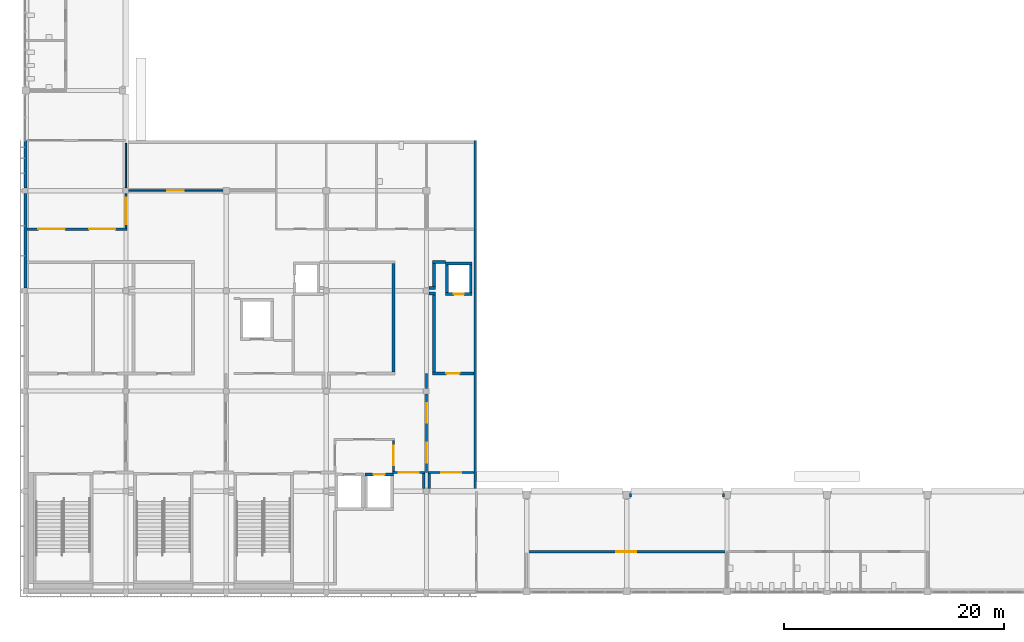
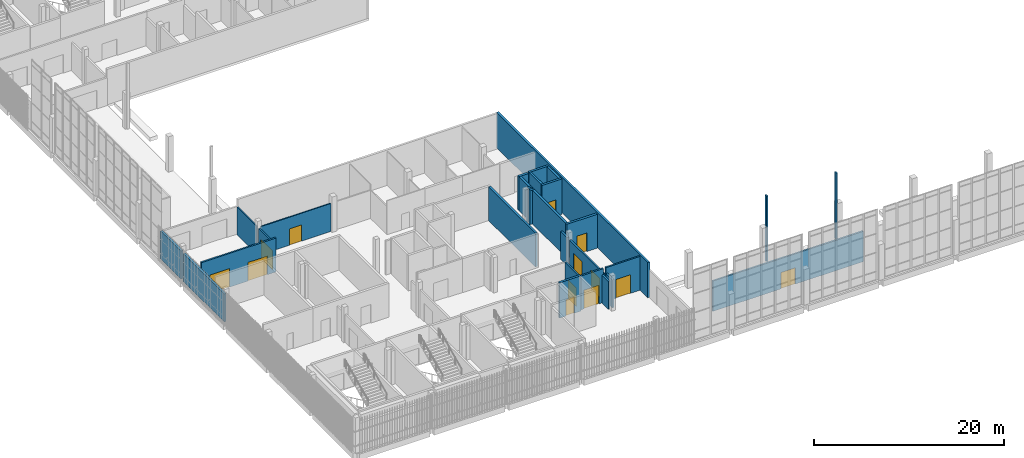
# One storey, part 42 of 91: 29 walls, 13 doors, 13 openings.
"""IFC4 building model written with IfcOpenShell, lengths in metres."""

from ifc_helpers import new_model, si_unit, direction, frame, frame_2d, origin, place, context, subcontext, project, spatial, rectangle, extrude, material, layer, layer_set, type_object, element, fill, save


model = new_model("IFC4")

# Units and contexts
model_context = context("Model", 3, precision=1e-05, world=origin(), true_north=direction((0.0, 1.0)))
body_context = subcontext(model_context, "Body", "Model", "MODEL_VIEW")
ifc_project = project(units=[si_unit("LENGTHUNIT", "METRE"), si_unit("AREAUNIT", "SQUARE_METRE"), si_unit("VOLUMEUNIT", "CUBIC_METRE"), si_unit("PLANEANGLEUNIT", "RADIAN"), si_unit("MASSUNIT", "GRAM", prefix="KILO")], contexts=[model_context])

# Site, building, storey
site_placement = place(None, origin())
site = spatial("IfcSite", under=ifc_project, at=site_placement, CompositionType="ELEMENT")
building_placement = place(site_placement, origin())
building = spatial("IfcBuilding", under=site, at=building_placement, Name="Shirokan Park Arena", CompositionType="ELEMENT")
storey_placement = place(building_placement, frame((0.0, 0.0, 24.570068359375)))
storey = spatial("IfcBuildingStorey", under=building, at=storey_placement, Name="L05", CompositionType="ELEMENT", Elevation=24.570068359375)

# Wall
ifc_material_1 = material(Name="Plaster")
ifc_layer_1 = layer(ifc_material_1, 0.014892578125, Name="Plaster")
ifc_material_2 = material(Name="Concrete blockwork", Category="masonry")
ifc_layer_2 = layer(ifc_material_2, 0.219970703125, Name="Concrete blockwork 220")
ifc_layer_3 = layer(ifc_material_1, 0.014892578125, Name="Plaster")
ifc_layer_set_1 = layer_set([ifc_layer_1, ifc_layer_2, ifc_layer_3], Name="Plaster + Concrete blockwork 220")
wall_type_1 = type_object("IfcWallType", Name="Compartment wall 250", PredefinedType="SOLIDWALL", material=ifc_layer_set_1)
wall_1_placement = place(storey_placement, frame((33.39990234375, 29.77490234375, 0.0), z_axis=(0.0, 0.0, 1.0), x_axis=(0.0, -1.0, 0.0)))
element("IfcWall", 1, at=wall_1_placement, inside=storey, type_object=wall_type_1, Name="Compartment wall 250 L05", PredefinedType="SOLIDWALL", context=body_context, shape_type="SweptSolid", body=[
    extrude(rectangle(XDim=9.849853515625, YDim=0.25, at=frame_2d((4.9248046875, 0.0))), origin(), (0.0, 0.0, 1.0), 4.349853515625),
])

# Wall, openings, doors
ifc_material_3 = material(Name="Gypsum board")
ifc_layer_4 = layer(ifc_material_3, 0.02490234375, Name="Gypsum board, two layers")
ifc_material_4 = material(Name="Mineral wool insulation")
ifc_layer_5 = layer(ifc_material_4, 0.14990234375, Name="Mineral wool insulation")
ifc_layer_6 = layer(ifc_material_3, 0.02490234375, Name="Gypsum board, two layers")
ifc_layer_set_2 = layer_set([ifc_layer_4, ifc_layer_5, ifc_layer_6], Name="Gypsum board, two layers + Mineral wool insulation")
wall_type_2 = type_object("IfcWallType", Name="Corridor wall 200", PredefinedType="PARTITIONING", material=ifc_layer_set_2)
wall_2_placement = place(storey_placement, frame((0.10009765625, 32.89990234375, 0.0), z_axis=(0.0, 0.0, 1.0), x_axis=(1.0, 0.0, 0.0)))
wall_2 = element("IfcWall", 2, at=wall_2_placement, inside=storey, type_object=wall_type_2, Name="Corridor wall 200 L05", PredefinedType="PARTITIONING", context=body_context, shape_type="SweptSolid", body=[
    extrude(rectangle(XDim=9.099853515625, YDim=0.199951171875, at=frame_2d((4.5498046875, 0.0))), origin(), (0.0, 0.0, 1.0), 4.349853515625),
])
opening_1_placement = place(wall_2_placement, frame((1.050048828125, 0.0, 0.0)))
opening_1 = element("IfcOpeningElement", 3, at=opening_1_placement, cuts=wall_2, Name="Opening D-5058", PredefinedType="OPENING", context=body_context, shape_type="SweptSolid", body=[
    extrude(rectangle(XDim=2.39990234375, YDim=2.39990234375, at=frame_2d((1.199951171875, 1.199951171875))), frame((0.0, 0.10986328125, 0.0), z_axis=(0.0, -1.0, 0.0), x_axis=(1.0, 0.0, 0.0)), (0.0, 0.0, 1.0), 0.219970703125),
])
opening_2_placement = place(wall_2_placement, frame((5.64990234375, 0.0, 0.0)))
opening_2 = element("IfcOpeningElement", 4, at=opening_2_placement, cuts=wall_2, Name="Opening D-5059", PredefinedType="OPENING", context=body_context, shape_type="SweptSolid", body=[
    extrude(rectangle(XDim=2.39990234375, YDim=2.39990234375, at=frame_2d((1.199951171875, 1.199951171875))), frame((0.0, 0.10986328125, 0.0), z_axis=(0.0, -1.0, 0.0), x_axis=(1.0, 0.0, 0.0)), (0.0, 0.0, 1.0), 0.219970703125),
])
ifc_material_5 = material(Name="Steel door set, fire resisting", Category="steel")
door_type_1 = type_object("IfcDoorType", Name="Double door 2400 x 2400", OperationType="DOUBLE_DOOR_SINGLE_SWING", PredefinedType="DOOR", material=ifc_material_5)
door_1_placement = place(opening_1_placement, origin())
door_1 = element("IfcDoor", 5, at=door_1_placement, inside=storey, type_object=door_type_1, Name="Door between Service Corridor 1.5 and Concourse Link 1.5 D-5058", OperationType="DOUBLE_DOOR_SINGLE_SWING", OverallHeight=2.39990234375, OverallWidth=2.39990234375, PredefinedType="DOOR", context=body_context, shape_type="SweptSolid", body=[
    extrude(rectangle(XDim=2.39990234375, YDim=2.39990234375, at=frame_2d((1.199951171875, 1.199951171875))), frame((0.0, 0.02490234375, 0.0), z_axis=(0.0, -1.0, 0.0), x_axis=(1.0, 0.0, 0.0)), (0.0, 0.0, 1.0), 0.050048828125),
])
fill(opening_1, door_1)
door_2_placement = place(opening_2_placement, origin())
door_2 = element("IfcDoor", 6, at=door_2_placement, inside=storey, type_object=door_type_1, Name="Door between Service Corridor 1.5 and Concourse Link 1.5 D-5059", OperationType="DOUBLE_DOOR_SINGLE_SWING", OverallHeight=2.39990234375, OverallWidth=2.39990234375, PredefinedType="DOOR", context=body_context, shape_type="SweptSolid", body=[
    extrude(rectangle(XDim=2.39990234375, YDim=2.39990234375, at=frame_2d((1.199951171875, 1.199951171875))), frame((0.0, 0.02490234375, 0.0), z_axis=(0.0, -1.0, 0.0), x_axis=(1.0, 0.0, 0.0)), (0.0, 0.0, 1.0), 0.050048828125),
])
fill(opening_2, door_2)

# Wall, opening, door
wall_3_placement = place(storey_placement, frame((9.10009765625, 33.0, 0.0), z_axis=(0.0, 0.0, 1.0), x_axis=(0.0, 1.0, 0.0)))
wall_3 = element("IfcWall", 7, at=wall_3_placement, inside=storey, type_object=wall_type_2, Name="Corridor wall 200 L05", PredefinedType="PARTITIONING", context=body_context, shape_type="SweptSolid", body=[
    extrude(rectangle(XDim=3.14990234375, YDim=0.199951171875, at=frame_2d((1.574951171875, 0.0))), origin(), (0.0, 0.0, 1.0), 3.599853515625),
])
opening_3_placement = place(wall_3_placement, frame((0.35009765625, 0.0, 0.0)))
opening_3 = element("IfcOpeningElement", 8, at=opening_3_placement, cuts=wall_3, Name="Opening D-5060", PredefinedType="OPENING", context=body_context, shape_type="SweptSolid", body=[
    extrude(rectangle(XDim=2.39990234375, YDim=2.39990234375, at=frame_2d((1.199951171875, 1.199951171875))), frame((0.0, 0.10986328125, 0.0), z_axis=(0.0, -1.0, 0.0), x_axis=(1.0, 0.0, 0.0)), (0.0, 0.0, 1.0), 0.219970703125),
])
door_3_placement = place(opening_3_placement, origin())
door_3 = element("IfcDoor", 9, at=door_3_placement, inside=storey, type_object=door_type_1, Name="Door between Service Corridor 1.5 and Concourse Link 1.5 D-5060", OperationType="DOUBLE_DOOR_SINGLE_SWING", OverallHeight=2.39990234375, OverallWidth=2.39990234375, PredefinedType="DOOR", context=body_context, shape_type="SweptSolid", body=[
    extrude(rectangle(XDim=2.39990234375, YDim=2.39990234375, at=frame_2d((1.199951171875, 1.199951171875))), frame((0.0, 0.02490234375, 0.0), z_axis=(0.0, -1.0, 0.0), x_axis=(1.0, 0.0, 0.0)), (0.0, 0.0, 1.0), 0.050048828125),
])
fill(opening_3, door_3)

wall_4_placement = place(storey_placement, frame((33.39990234375, 10.89990234375, 0.0), z_axis=(0.0, 0.0, 1.0), x_axis=(0.0, 1.0, 0.0)))
wall_4 = element("IfcWall", 10, at=wall_4_placement, inside=storey, type_object=wall_type_2, Name="Corridor wall 200 L05", PredefinedType="PARTITIONING", context=body_context, shape_type="SweptSolid", body=[
    extrude(rectangle(XDim=2.800048828125, YDim=0.199951171875, at=frame_2d((1.39990234375, 0.0))), origin(), (0.0, 0.0, 1.0), 4.349853515625),
])
opening_4_placement = place(wall_4_placement, frame((0.550048828125, 0.0, 0.0)))
opening_4 = element("IfcOpeningElement", 11, at=opening_4_placement, cuts=wall_4, Name="Opening D-5068", PredefinedType="OPENING", context=body_context, shape_type="SweptSolid", body=[
    extrude(rectangle(XDim=1.800048828125, YDim=2.39990234375, at=frame_2d((0.89990234375, 1.199951171875))), frame((0.0, 0.10986328125, 0.0), z_axis=(0.0, -1.0, 0.0), x_axis=(1.0, 0.0, 0.0)), (0.0, 0.0, 1.0), 0.219970703125),
])
ifc_material_6 = material(Name="Glazed steel door set, fire resisting", Category="steel")
door_type_2 = type_object("IfcDoorType", Name="Lift lobby door 1800 x 2400", OperationType="DOUBLE_DOOR_SINGLE_SWING", PredefinedType="DOOR", material=ifc_material_6)
door_4_placement = place(opening_4_placement, origin())
door_4 = element("IfcDoor", 12, at=door_4_placement, inside=storey, type_object=door_type_2, Name="Door between Stair Lobby 1.5.3 and Lift Lobby 1.5 D-5068", OperationType="DOUBLE_DOOR_SINGLE_SWING", OverallHeight=2.39990234375, OverallWidth=1.800048828125, PredefinedType="DOOR", context=body_context, shape_type="SweptSolid", body=[
    extrude(rectangle(XDim=1.800048828125, YDim=2.39990234375, at=frame_2d((0.89990234375, 1.199951171875))), frame((0.0, 0.02490234375, 0.0), z_axis=(0.0, -1.0, 0.0), x_axis=(1.0, 0.0, 0.0)), (0.0, 0.0, 1.0), 0.050048828125),
])
fill(opening_4, door_4)

# Wall
wall_5_placement = place(storey_placement, frame((36.14990234375, 9.35009765625, 0.0), z_axis=(0.0, 0.0, 1.0), x_axis=(0.0, 1.0, 0.0)))
element("IfcWall", 13, at=wall_5_placement, inside=storey, type_object=wall_type_2, Name="Corridor wall 200 L05", PredefinedType="PARTITIONING", context=body_context, shape_type="SweptSolid", body=[
    extrude(rectangle(XDim=1.349853515625, YDim=0.199951171875, at=frame_2d((0.6748046875, 0.0))), origin(), (0.0, 0.0, 1.0), 3.599853515625),
])

# Wall, opening, door
wall_6_placement = place(storey_placement, frame((36.25, 10.800048828125, 0.0), z_axis=(0.0, 0.0, 1.0), x_axis=(-1.0, 0.0, 0.0)))
wall_6 = element("IfcWall", 14, at=wall_6_placement, inside=storey, type_object=wall_type_2, Name="Corridor wall 200 L05", PredefinedType="PARTITIONING", context=body_context, shape_type="SweptSolid", body=[
    extrude(rectangle(XDim=2.949951171875, YDim=0.199951171875, at=frame_2d((1.47509765625, 0.0))), origin(), (0.0, 0.0, 1.0), 4.349853515625),
])
opening_5_placement = place(wall_6_placement, frame((0.550048828125, 0.0, 0.0)))
opening_5 = element("IfcOpeningElement", 15, at=opening_5_placement, cuts=wall_6, Name="Opening D-5071", PredefinedType="OPENING", context=body_context, shape_type="SweptSolid", body=[
    extrude(rectangle(XDim=1.800048828125, YDim=2.39990234375, at=frame_2d((0.89990234375, 1.199951171875))), frame((0.0, 0.10986328125, 0.0), z_axis=(0.0, -1.0, 0.0), x_axis=(1.0, 0.0, 0.0)), (0.0, 0.0, 1.0), 0.219970703125),
])
door_5_placement = place(opening_5_placement, origin())
door_5 = element("IfcDoor", 16, at=door_5_placement, inside=storey, type_object=door_type_2, Name="Door between Stair Lobby 1.5.3 and Ring Link 1.5 D-5071", OperationType="DOUBLE_DOOR_SINGLE_SWING", OverallHeight=2.39990234375, OverallWidth=1.800048828125, PredefinedType="DOOR", context=body_context, shape_type="SweptSolid", body=[
    extrude(rectangle(XDim=1.800048828125, YDim=2.39990234375, at=frame_2d((0.89990234375, 1.199951171875))), frame((0.0, 0.02490234375, 0.0), z_axis=(0.0, -1.0, 0.0), x_axis=(1.0, 0.0, 0.0)), (0.0, 0.0, 1.0), 0.050048828125),
])
fill(opening_5, door_5)

# Wall, openings, doors
wall_7_placement = place(storey_placement, frame((36.39990234375, 17.949951171875, 0.0), z_axis=(0.0, 0.0, 1.0), x_axis=(0.0, -1.0, 0.0)))
wall_7 = element("IfcWall", 17, at=wall_7_placement, inside=storey, type_object=wall_type_2, Name="Corridor wall 200 L05", PredefinedType="PARTITIONING", context=body_context, shape_type="SweptSolid", body=[
    extrude(rectangle(XDim=7.14990234375, YDim=0.199951171875, at=frame_2d((3.574951171875, 0.0))), origin(), (0.0, 0.0, 1.0), 3.599853515625),
])
opening_6_placement = place(wall_7_placement, frame((0.85009765625, 0.0, 0.0)))
opening_6 = element("IfcOpeningElement", 18, at=opening_6_placement, cuts=wall_7, Name="Opening D-5065", PredefinedType="OPENING", context=body_context, shape_type="SweptSolid", body=[
    extrude(rectangle(XDim=1.800048828125, YDim=2.39990234375, at=frame_2d((0.89990234375, 1.199951171875))), frame((0.0, 0.10986328125, 0.0), z_axis=(0.0, -1.0, 0.0), x_axis=(1.0, 0.0, 0.0)), (0.0, 0.0, 1.0), 0.219970703125),
])
opening_7_placement = place(wall_7_placement, frame((4.449951171875, 0.0, 0.0)))
opening_7 = element("IfcOpeningElement", 19, at=opening_7_placement, cuts=wall_7, Name="Opening D-5066", PredefinedType="OPENING", context=body_context, shape_type="SweptSolid", body=[
    extrude(rectangle(XDim=1.800048828125, YDim=2.39990234375, at=frame_2d((0.89990234375, 1.199951171875))), frame((0.0, 0.10986328125, 0.0), z_axis=(0.0, -1.0, 0.0), x_axis=(1.0, 0.0, 0.0)), (0.0, 0.0, 1.0), 0.219970703125),
])
door_6_placement = place(opening_6_placement, origin())
door_6 = element("IfcDoor", 20, at=door_6_placement, inside=storey, type_object=door_type_2, Name="Door between Stair Lobby 1.5.3 and Retail Arcade 1.5.4 D-5065", OperationType="DOUBLE_DOOR_SINGLE_SWING", OverallHeight=2.39990234375, OverallWidth=1.800048828125, PredefinedType="DOOR", context=body_context, shape_type="SweptSolid", body=[
    extrude(rectangle(XDim=1.800048828125, YDim=2.39990234375, at=frame_2d((0.89990234375, 1.199951171875))), frame((0.0, 0.02490234375, 0.0), z_axis=(0.0, -1.0, 0.0), x_axis=(1.0, 0.0, 0.0)), (0.0, 0.0, 1.0), 0.050048828125),
])
fill(opening_6, door_6)
door_7_placement = place(opening_7_placement, origin())
door_7 = element("IfcDoor", 21, at=door_7_placement, inside=storey, type_object=door_type_2, Name="Door between Stair Lobby 1.5.3 and Retail Arcade 1.5.4 D-5066", OperationType="DOUBLE_DOOR_SINGLE_SWING", OverallHeight=2.39990234375, OverallWidth=1.800048828125, PredefinedType="DOOR", context=body_context, shape_type="SweptSolid", body=[
    extrude(rectangle(XDim=1.800048828125, YDim=2.39990234375, at=frame_2d((0.89990234375, 1.199951171875))), frame((0.0, 0.02490234375, 0.0), z_axis=(0.0, -1.0, 0.0), x_axis=(1.0, 0.0, 0.0)), (0.0, 0.0, 1.0), 0.050048828125),
])
fill(opening_7, door_7)

# Walls
wall_8_placement = place(storey_placement, frame((36.39990234375, 19.800048828125, 0.0), z_axis=(0.0, 0.0, 1.0), x_axis=(0.0, -1.0, 0.0)))
element("IfcWall", 22, at=wall_8_placement, inside=storey, type_object=wall_type_2, Name="Corridor wall 200 L05", PredefinedType="PARTITIONING", context=body_context, shape_type="SweptSolid", body=[
    extrude(rectangle(XDim=1.35009765625, YDim=0.199951171875, at=frame_2d((0.675048828125, 0.0))), origin(), (0.0, 0.0, 1.0), 3.599853515625),
])
wall_9_placement = place(storey_placement, frame((36.64990234375, 10.699951171875, 0.0), z_axis=(0.0, 0.0, 1.0), x_axis=(0.0, -1.0, 0.0)))
element("IfcWall", 23, at=wall_9_placement, inside=storey, type_object=wall_type_2, Name="Corridor wall 200 L05", PredefinedType="PARTITIONING", context=body_context, shape_type="SweptSolid", body=[
    extrude(rectangle(XDim=1.349853515625, YDim=0.199951171875, at=frame_2d((0.6748046875, 0.0))), origin(), (0.0, 0.0, 1.0), 3.599853515625),
])

# Wall, opening, door
wall_10_placement = place(storey_placement, frame((40.699951171875, 10.800048828125, 0.0), z_axis=(0.0, 0.0, 1.0), x_axis=(-1.0, 0.0, 0.0)))
wall_10 = element("IfcWall", 24, at=wall_10_placement, inside=storey, type_object=wall_type_2, Name="Corridor wall 200 L05", PredefinedType="PARTITIONING", context=body_context, shape_type="SweptSolid", body=[
    extrude(rectangle(XDim=4.14990234375, YDim=0.199951171875, at=frame_2d((2.074951171875, 0.0))), origin(), (0.0, 0.0, 1.0), 4.349853515625),
])
opening_8_placement = place(wall_10_placement, frame((1.14990234375, 0.0, 0.0)))
opening_8 = element("IfcOpeningElement", 25, at=opening_8_placement, cuts=wall_10, Name="Opening D-5072", PredefinedType="OPENING", context=body_context, shape_type="SweptSolid", body=[
    extrude(rectangle(XDim=1.800048828125, YDim=2.39990234375, at=frame_2d((0.89990234375, 1.199951171875))), frame((0.0, 0.10986328125, 0.0), z_axis=(0.0, -1.0, 0.0), x_axis=(1.0, 0.0, 0.0)), (0.0, 0.0, 1.0), 0.219970703125),
])
door_8_placement = place(opening_8_placement, origin())
door_8 = element("IfcDoor", 26, at=door_8_placement, inside=storey, type_object=door_type_2, Name="Door between Retail Arcade 1.5.4 and Ring Link 1.5 D-5072", OperationType="DOUBLE_DOOR_SINGLE_SWING", OverallHeight=2.39990234375, OverallWidth=1.800048828125, PredefinedType="DOOR", context=body_context, shape_type="SweptSolid", body=[
    extrude(rectangle(XDim=1.800048828125, YDim=2.39990234375, at=frame_2d((0.89990234375, 1.199951171875))), frame((0.0, 0.02490234375, 0.0), z_axis=(0.0, -1.0, 0.0), x_axis=(1.0, 0.0, 0.0)), (0.0, 0.0, 1.0), 0.050048828125),
])
fill(opening_8, door_8)

# Walls
for number, where, z_axis, x_axis, name in (
    (27, (54.925048828125, 8.574951171875, 0.0), (0.0, 0.0, 1.0), (0.0, 1.0, 0.0), "Corridor wall 200 L05"),
    (28, (63.375, 8.875, 0.0), (0.0, 0.0, 1.0), (0.0, -1.0, 0.0), "Corridor wall 200 L05"),
):
    element("IfcWall", number, at=place(storey_placement, frame(where, z_axis=z_axis, x_axis=x_axis)), inside=storey, type_object=wall_type_2, Name=name, PredefinedType="PARTITIONING", context=body_context, shape_type="SweptSolid", body=[
        extrude(rectangle(XDim=0.324951171875, YDim=0.199951171875, at=frame_2d((0.16259765625, 0.0))), origin(), (0.0, 0.0, 1.0), 8.429931640625),
    ])
ifc_material_7 = material(Name="Ceramic tile")
ifc_layer_7 = layer(ifc_material_7, 0.010009765625, Name="Ceramic tile")
ifc_material_8 = material(Name="Render")
ifc_layer_8 = layer(ifc_material_8, 0.010009765625, Name="Render")
ifc_layer_9 = layer(ifc_material_2, 0.10009765625, Name="Concrete blockwork 100")
ifc_layer_10 = layer(ifc_material_8, 0.010009765625, Name="Render")
ifc_layer_11 = layer(ifc_material_7, 0.010009765625, Name="Ceramic tile")
ifc_layer_set_3 = layer_set([ifc_layer_7, ifc_layer_8, ifc_layer_9, ifc_layer_10, ifc_layer_11], Name="Ceramic tile + Render + Concrete blockwork 100")
wall_type_3 = type_object("IfcWallType", Name="Kitchen wall 140", PredefinedType="SOLIDWALL", material=ifc_layer_set_3)
wall_11_placement = place(storey_placement, frame((9.10009765625, 36.64990234375, 0.0), z_axis=(0.0, 0.0, 1.0), x_axis=(0.0, 1.0, 0.0)))
element("IfcWall", 29, at=wall_11_placement, inside=storey, type_object=wall_type_3, Name="Kitchen wall 140 L05", PredefinedType="SOLIDWALL", context=body_context, shape_type="SweptSolid", body=[
    extrude(rectangle(XDim=4.050048828125, YDim=0.139892578125, at=frame_2d((2.02490234375, 0.0))), origin(), (0.0, 0.0, 1.0), 3.599853515625),
])

# Wall, opening, door
wall_12_placement = place(storey_placement, frame((17.89990234375, 36.39990234375, 0.0), z_axis=(0.0, 0.0, 1.0), x_axis=(-1.0, 0.0, 0.0)))
wall_12 = element("IfcWall", 30, at=wall_12_placement, inside=storey, type_object=wall_type_3, Name="Kitchen wall 140 L05", PredefinedType="SOLIDWALL", context=body_context, shape_type="SweptSolid", body=[
    extrude(rectangle(XDim=8.5498046875, YDim=0.139892578125, at=frame_2d((4.27490234375, 0.0))), origin(), (0.0, 0.0, 1.0), 3.599853515625),
])
opening_9_placement = place(wall_12_placement, frame((3.550048828125, 0.0, 0.0)))
opening_9 = element("IfcOpeningElement", 31, at=opening_9_placement, cuts=wall_12, Name="Opening D-5009", PredefinedType="OPENING", context=body_context, shape_type="SweptSolid", body=[
    extrude(rectangle(XDim=1.5, YDim=2.10009765625, at=frame_2d((0.75, 1.050048828125))), frame((0.0, 0.079833984375, 0.0), z_axis=(0.0, -1.0, 0.0), x_axis=(1.0, 0.0, 0.0)), (0.0, 0.0, 1.0), 0.159912109375),
])
ifc_material_9 = material(Name="Stainless steel door set, fire resisting", Category="steel")
door_type_3 = type_object("IfcDoorType", Name="Kitchen door 1500 x 2100", OperationType="DOUBLE_DOOR_SINGLE_SWING", PredefinedType="DOOR", material=ifc_material_9)
door_9_placement = place(opening_9_placement, origin())
door_9 = element("IfcDoor", 32, at=door_9_placement, inside=storey, type_object=door_type_3, Name="Door to Concession Prep Kitchen 5.11 D-5009", OperationType="DOUBLE_DOOR_SINGLE_SWING", OverallHeight=2.10009765625, OverallWidth=1.5, PredefinedType="DOOR", context=body_context, shape_type="SweptSolid", body=[
    extrude(rectangle(XDim=1.5, YDim=2.10009765625, at=frame_2d((0.75, 1.050048828125))), frame((0.0, 0.02490234375, 0.0), z_axis=(0.0, -1.0, 0.0), x_axis=(1.0, 0.0, 0.0)), (0.0, 0.0, 1.0), 0.050048828125),
])
fill(opening_9, door_9)

ifc_material_10 = material(Name="Concrete C35", Category="concrete")
ifc_layer_12 = layer(ifc_material_10, 0.199951171875)
ifc_layer_set_4 = layer_set([ifc_layer_12], Name="Concrete C35 200 mm")
wall_type_4 = type_object("IfcWallType", Name="Pavilion RC wall 200", PredefinedType="SOLIDWALL", material=ifc_layer_set_4)
wall_13_placement = place(storey_placement, frame((63.699951171875, 3.60009765625, 0.0), z_axis=(0.0, 0.0, 1.0), x_axis=(-1.0, 0.0, 0.0)))
wall_13 = element("IfcWall", 33, at=wall_13_placement, inside=storey, type_object=wall_type_4, Name="Corridor wall 200 L05", PredefinedType="PARTITIONING", context=body_context, shape_type="SweptSolid", body=[
    extrude(rectangle(XDim=18.300048828125, YDim=0.199951171875, at=frame_2d((9.14990234375, 0.0))), origin(), (0.0, 0.0, 1.0), 3.89990234375),
])
opening_10_placement = place(wall_13_placement, frame((8.25, 0.0, 0.0)))
opening_10 = element("IfcOpeningElement", 34, at=opening_10_placement, cuts=wall_13, Name="Opening D-5051", PredefinedType="OPENING", context=body_context, shape_type="SweptSolid", body=[
    extrude(rectangle(XDim=1.800048828125, YDim=2.10009765625, at=frame_2d((0.89990234375, 1.050048828125))), frame((0.0, 0.10986328125, 0.0), z_axis=(0.0, -1.0, 0.0), x_axis=(1.0, 0.0, 0.0)), (0.0, 0.0, 1.0), 0.219970703125),
])
ifc_material_11 = material(Name="Timber door set, fire resisting", Category="wood")
door_type_4 = type_object("IfcDoorType", Name="Double door 1800 x 2100", OperationType="DOUBLE_DOOR_SINGLE_SWING", PredefinedType="DOOR", material=ifc_material_11)
door_10_placement = place(opening_10_placement, origin())
door_10 = element("IfcDoor", 35, at=door_10_placement, inside=storey, type_object=door_type_4, Name="Door to Concession Kiosk 5.41 D-5051", OperationType="DOUBLE_DOOR_SINGLE_SWING", OverallHeight=2.10009765625, OverallWidth=1.800048828125, PredefinedType="DOOR", context=body_context, shape_type="SweptSolid", body=[
    extrude(rectangle(XDim=1.800048828125, YDim=2.10009765625, at=frame_2d((0.89990234375, 1.050048828125))), frame((0.0, 0.02490234375, 0.0), z_axis=(0.0, -1.0, 0.0), x_axis=(1.0, 0.0, 0.0)), (0.0, 0.0, 1.0), 0.050048828125),
])
fill(opening_10, door_10)

# Wall
ifc_layer_13 = layer(ifc_material_1, 0.012451171875, Name="Plaster")
ifc_layer_14 = layer(ifc_material_2, 0.25, Name="Concrete blockwork 250")
ifc_layer_15 = layer(ifc_material_1, 0.012451171875, Name="Plaster")
ifc_layer_set_5 = layer_set([ifc_layer_13, ifc_layer_14, ifc_layer_15], Name="Plaster + Concrete blockwork 250")
wall_type_5 = type_object("IfcWallType", Name="Plant room wall 275", PredefinedType="SOLIDWALL", material=ifc_layer_set_5)
wall_14_placement = place(storey_placement, frame((36.64990234375, 27.050048828125, 0.0), z_axis=(0.0, 0.0, 1.0), x_axis=(1.0, 0.0, 0.0)))
element("IfcWall", 36, at=wall_14_placement, inside=storey, type_object=wall_type_5, Name="Plant room wall 275 L05", PredefinedType="SOLIDWALL", context=body_context, shape_type="SweptSolid", body=[
    extrude(rectangle(XDim=0.587646484375, YDim=0.27490234375, at=frame_2d((0.2939453125, 0.0))), origin(), (0.0, 0.0, 1.0), 4.349853515625),
])

# Wall, opening, door
wall_15_placement = place(storey_placement, frame((36.96240234375, 19.800048828125, 0.0), z_axis=(0.0, 0.0, 1.0), x_axis=(1.0, 0.0, 0.0)))
wall_15 = element("IfcWall", 37, at=wall_15_placement, inside=storey, type_object=wall_type_5, Name="Plant room wall 275 L05", PredefinedType="SOLIDWALL", context=body_context, shape_type="SweptSolid", body=[
    extrude(rectangle(XDim=3.737548828125, YDim=0.27490234375, at=frame_2d((1.86865234375, 0.0))), origin(), (0.0, 0.0, 1.0), 4.349853515625),
])
opening_11_placement = place(wall_15_placement, frame((1.25, 0.0, 0.0)))
opening_11 = element("IfcOpeningElement", 38, at=opening_11_placement, cuts=wall_15, Name="Opening D-5003", PredefinedType="OPENING", context=body_context, shape_type="SweptSolid", body=[
    extrude(rectangle(XDim=1.199951171875, YDim=2.39990234375, at=frame_2d((0.60009765625, 1.199951171875))), frame((0.0, 0.1474609375, 0.0), z_axis=(0.0, -1.0, 0.0), x_axis=(1.0, 0.0, 0.0)), (0.0, 0.0, 1.0), 0.294921875),
])
ifc_material_12 = material(Name="Louvred steel door set, fire resisting", Category="steel")
door_type_5 = type_object("IfcDoorType", Name="Plant room door 1200 x 2400", OperationType="SINGLE_SWING_LEFT", PredefinedType="DOOR", material=ifc_material_12)
door_11_placement = place(opening_11_placement, origin())
door_11 = element("IfcDoor", 39, at=door_11_placement, inside=storey, type_object=door_type_5, Name="Door to Electrical Room 5.19 D-5003", OperationType="SINGLE_SWING_RIGHT", OverallHeight=2.39990234375, OverallWidth=1.199951171875, PredefinedType="DOOR", context=body_context, shape_type="SweptSolid", body=[
    extrude(rectangle(XDim=1.199951171875, YDim=2.39990234375, at=frame_2d((0.60009765625, 1.199951171875))), frame((0.0, 0.02490234375, 0.0), z_axis=(0.0, -1.0, 0.0), x_axis=(1.0, 0.0, 0.0)), (0.0, 0.0, 1.0), 0.050048828125),
])
fill(opening_11, door_11)

# Walls
wall_16_placement = place(storey_placement, frame((36.96240234375, 29.89990234375, 0.0), z_axis=(0.0, 0.0, 1.0), x_axis=(1.0, 0.0, 0.0)))
element("IfcWall", 40, at=wall_16_placement, inside=storey, type_object=wall_type_5, Name="Plant room wall 275 L05", PredefinedType="SOLIDWALL", context=body_context, shape_type="SweptSolid", body=[
    extrude(rectangle(XDim=1.15771484375, YDim=0.27490234375, at=frame_2d((0.578857421875, 0.0))), origin(), (0.0, 0.0, 1.0), 4.349853515625),
])
wall_17_placement = place(storey_placement, frame((37.10009765625, 26.91259765625, 0.0), z_axis=(0.0, 0.0, 1.0), x_axis=(0.0, -1.0, 0.0)))
element("IfcWall", 41, at=wall_17_placement, inside=storey, type_object=wall_type_5, Name="Plant room wall 275 L05", PredefinedType="SOLIDWALL", context=body_context, shape_type="SweptSolid", body=[
    extrude(rectangle(XDim=6.97509765625, YDim=0.27490234375, at=frame_2d((3.487548828125, 0.0))), origin(), (0.0, 0.0, 1.0), 4.349853515625),
])
wall_18_placement = place(storey_placement, frame((37.10009765625, 29.762451171875, 0.0), z_axis=(0.0, 0.0, 1.0), x_axis=(0.0, -1.0, 0.0)))
element("IfcWall", 42, at=wall_18_placement, inside=storey, type_object=wall_type_5, Name="Plant room wall 275 L05", PredefinedType="SOLIDWALL", context=body_context, shape_type="SweptSolid", body=[
    extrude(rectangle(XDim=2.074951171875, YDim=0.27490234375, at=frame_2d((1.03759765625, 0.0))), origin(), (0.0, 0.0, 1.0), 4.349853515625),
])
wall_19_placement = place(storey_placement, frame((37.237548828125, 27.550048828125, 0.0), z_axis=(0.0, 0.0, 1.0), x_axis=(-1.0, 0.0, 0.0)))
element("IfcWall", 43, at=wall_19_placement, inside=storey, type_object=wall_type_5, Name="Plant room wall 275 L05", PredefinedType="SOLIDWALL", context=body_context, shape_type="SweptSolid", body=[
    extrude(rectangle(XDim=0.587646484375, YDim=0.27490234375, at=frame_2d((0.2939453125, 0.0))), origin(), (0.0, 0.0, 1.0), 4.349853515625),
])
ifc_material_13 = material(Name="Concrete C40/50 precast", Category="concrete")
ifc_layer_16 = layer(ifc_material_13, 0.10009765625, Name="Concrete C40/50 precast")
ifc_layer_17 = layer(ifc_material_4, 0.10009765625, Name="Mineral wool insulation")
ifc_material_14 = material(Name="Gypsum board lining")
ifc_layer_18 = layer(ifc_material_14, 0.050048828125, Name="Gypsum board lining")
ifc_layer_set_6 = layer_set([ifc_layer_16, ifc_layer_17, ifc_layer_18], Name="Concrete C40/50 precast + Mineral wool insulation + Gypsum board lining")
wall_type_6 = type_object("IfcWallType", Name="Precast concrete panel wall 250", PredefinedType="SOLIDWALL", material=ifc_layer_set_6)
wall_20_placement = place(storey_placement, frame((-0.02490234375, 40.949951171875, 0.0), z_axis=(0.0, 0.0, 1.0), x_axis=(0.0, -1.0, 0.0)))
element("IfcWall", 44, at=wall_20_placement, inside=storey, type_object=wall_type_6, Name="West facade wall bay 8 L05", PredefinedType="SOLIDWALL", context=body_context, shape_type="SweptSolid", body=[
    extrude(rectangle(XDim=4.300048828125, YDim=0.25, at=frame_2d((2.14990234375, 0.0))), origin(), (0.0, 0.0, 1.0), 3.599853515625),
])
wall_21_placement = place(storey_placement, frame((-0.02490234375, 36.14990234375, 0.0), z_axis=(0.0, 0.0, 1.0), x_axis=(0.0, -1.0, 0.0)))
element("IfcWall", 45, at=wall_21_placement, inside=storey, type_object=wall_type_6, Name="West facade wall bay 9 L05", PredefinedType="SOLIDWALL", context=body_context, shape_type="SweptSolid", body=[
    extrude(rectangle(XDim=8.599853515625, YDim=0.25, at=frame_2d((4.2998046875, 0.0))), origin(), (0.0, 0.0, 1.0), 3.599853515625),
])
ifc_layer_19 = layer(ifc_material_10, 0.25)
ifc_layer_set_7 = layer_set([ifc_layer_19], Name="Concrete C35 250 mm")
wall_type_7 = type_object("IfcWallType", Name="RC flank wall 250", PredefinedType="SHEAR", material=ifc_layer_set_7)
wall_22_placement = place(storey_placement, frame((40.824951171875, 40.949951171875, 0.0), z_axis=(0.0, 0.0, 1.0), x_axis=(0.0, -1.0, 0.0)))
element("IfcWall", 46, at=wall_22_placement, inside=storey, type_object=wall_type_7, Name="Flank wall S1 L05", PredefinedType="SHEAR", context=body_context, shape_type="SweptSolid", body=[
    extrude(rectangle(XDim=31.849853515625, YDim=0.25, at=frame_2d((15.9248046875, 0.0))), origin(), (0.0, 0.0, 1.0), 4.550048828125),
])

# Wall, opening, door
ifc_material_15 = material(Name="Concrete C40/50", Category="concrete")
ifc_layer_20 = layer(ifc_material_15, 0.25)
ifc_layer_set_8 = layer_set([ifc_layer_20], Name="Concrete C40/50 250 mm")
wall_type_8 = type_object("IfcWallType", Name="RC shear wall 250", PredefinedType="SHEAR", material=ifc_layer_set_8)
wall_23_placement = place(storey_placement, frame((33.39990234375, 10.625, 0.0), z_axis=(0.0, 0.0, 1.0), x_axis=(-1.0, 0.0, 0.0)))
wall_23 = element("IfcWall", 47, at=wall_23_placement, inside=storey, type_object=wall_type_8, Name="Shaft wall Passenger Lift 1.2 N L05", PredefinedType="SHEAR", context=body_context, shape_type="SweptSolid", body=[
    extrude(rectangle(XDim=2.599853515625, YDim=0.25, at=frame_2d((1.2998046875, 0.0))), origin(), (0.0, 0.0, 1.0), 4.550048828125),
])
opening_12_placement = place(wall_23_placement, frame((0.800048828125, 0.0, 0.0)))
opening_12 = element("IfcOpeningElement", 48, at=opening_12_placement, cuts=wall_23, Name="Opening LD12", PredefinedType="OPENING", context=body_context, shape_type="SweptSolid", body=[
    extrude(rectangle(XDim=1.0, YDim=2.10009765625, at=frame_2d((0.5, 1.050048828125))), frame((0.0, 0.135009765625, 0.0), z_axis=(0.0, -1.0, 0.0), x_axis=(1.0, 0.0, 0.0)), (0.0, 0.0, 1.0), 0.27001953125),
])
ifc_material_16 = material(Name="Stainless steel", Category="steel")
door_type_6 = type_object("IfcDoorType", Name="Lift landing door 1000x2100", OperationType="DOUBLE_DOOR_SLIDING", PredefinedType="DOOR", material=ifc_material_16)
door_12_placement = place(opening_12_placement, origin())
door_12 = element("IfcDoor", 49, at=door_12_placement, inside=storey, type_object=door_type_6, Name="Lift landing door Passenger Lift 1.2 L05", OperationType="DOUBLE_DOOR_SLIDING", OverallHeight=2.10009765625, OverallWidth=1.0, PredefinedType="DOOR", context=body_context, shape_type="SweptSolid", body=[
    extrude(rectangle(XDim=1.0, YDim=2.10009765625, at=frame_2d((0.5, 1.050048828125))), frame((0.0, 0.02490234375, 0.0), z_axis=(0.0, -1.0, 0.0), x_axis=(1.0, 0.0, 0.0)), (0.0, 0.0, 1.0), 0.050048828125),
])
fill(opening_12, door_12)

wall_24_placement = place(storey_placement, frame((40.550048828125, 27.02490234375, 0.0), z_axis=(0.0, 0.0, 1.0), x_axis=(-1.0, 0.0, 0.0)))
wall_24 = element("IfcWall", 50, at=wall_24_placement, inside=storey, type_object=wall_type_8, Name="Shaft wall Services Riser 1.1 S L05", PredefinedType="SHEAR", context=body_context, shape_type="SweptSolid", body=[
    extrude(rectangle(XDim=2.400146484375, YDim=0.25, at=frame_2d((1.2001953125, 0.0))), origin(), (0.0, 0.0, 1.0), 4.550048828125),
])
opening_13_placement = place(wall_24_placement, frame((0.75, 0.0, 0.0)))
opening_13 = element("IfcOpeningElement", 51, at=opening_13_placement, cuts=wall_24, Name="Opening D-5124", PredefinedType="OPENING", context=body_context, shape_type="SweptSolid", body=[
    extrude(rectangle(XDim=0.89990234375, YDim=2.10009765625, at=frame_2d((0.449951171875, 1.050048828125))), frame((0.0, 0.135009765625, 0.0), z_axis=(0.0, -1.0, 0.0), x_axis=(1.0, 0.0, 0.0)), (0.0, 0.0, 1.0), 0.27001953125),
])
door_type_7 = type_object("IfcDoorType", Name="Electrical riser door 900 x 2100", OperationType="SINGLE_SWING_LEFT", PredefinedType="DOOR", material=ifc_material_5)
door_13_placement = place(opening_13_placement, origin())
door_13 = element("IfcDoor", 52, at=door_13_placement, inside=storey, type_object=door_type_7, Name="Riser access door Services Riser 1.1 D-5124", OperationType="SINGLE_SWING_RIGHT", OverallHeight=2.10009765625, OverallWidth=0.89990234375, PredefinedType="DOOR", context=body_context, shape_type="SweptSolid", body=[
    extrude(rectangle(XDim=0.89990234375, YDim=2.10009765625, at=frame_2d((0.449951171875, 1.050048828125))), frame((0.0, 0.02490234375, 0.0), z_axis=(0.0, -1.0, 0.0), x_axis=(1.0, 0.0, 0.0)), (0.0, 0.0, 1.0), 0.050048828125),
])
fill(opening_13, door_13)

# Walls
wall_25_placement = place(storey_placement, frame((40.550048828125, 29.77490234375, 0.0), z_axis=(0.0, 0.0, 1.0), x_axis=(-1.0, 0.0, 0.0)))
element("IfcWall", 53, at=wall_25_placement, inside=storey, type_object=wall_type_8, Name="Shaft wall Services Riser 1.1 N L05", PredefinedType="SHEAR", context=body_context, shape_type="SweptSolid", body=[
    extrude(rectangle(XDim=2.400146484375, YDim=0.25, at=frame_2d((1.2001953125, 0.0))), origin(), (0.0, 0.0, 1.0), 4.550048828125),
])
for number, where, z_axis, x_axis, name in (
    (54, (38.27490234375, 29.64990234375, 0.0), (0.0, 0.0, 1.0), (0.0, -1.0, 0.0), "Shaft wall Services Riser 1.1 W L05"),
    (55, (40.425048828125, 29.64990234375, 0.0), (0.0, 0.0, 1.0), (0.0, -1.0, 0.0), "Shaft wall Services Riser 1.1 E L05"),
):
    element("IfcWall", number, at=place(storey_placement, frame(where, z_axis=z_axis, x_axis=x_axis)), inside=storey, type_object=wall_type_8, Name=name, PredefinedType="SHEAR", context=body_context, shape_type="SweptSolid", body=[
        extrude(rectangle(XDim=2.5, YDim=0.25, at=frame_2d((1.25, 0.0))), origin(), (0.0, 0.0, 1.0), 4.550048828125),
    ])

save(model, "model.ifc")
